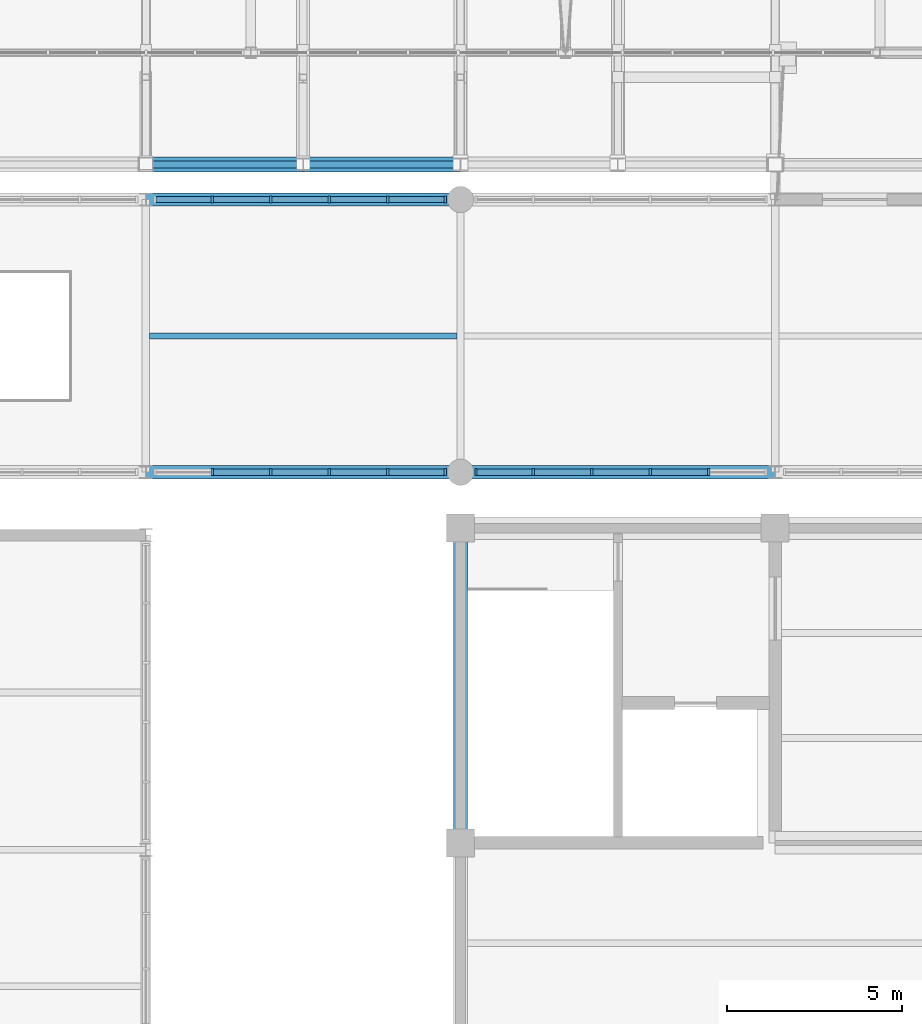
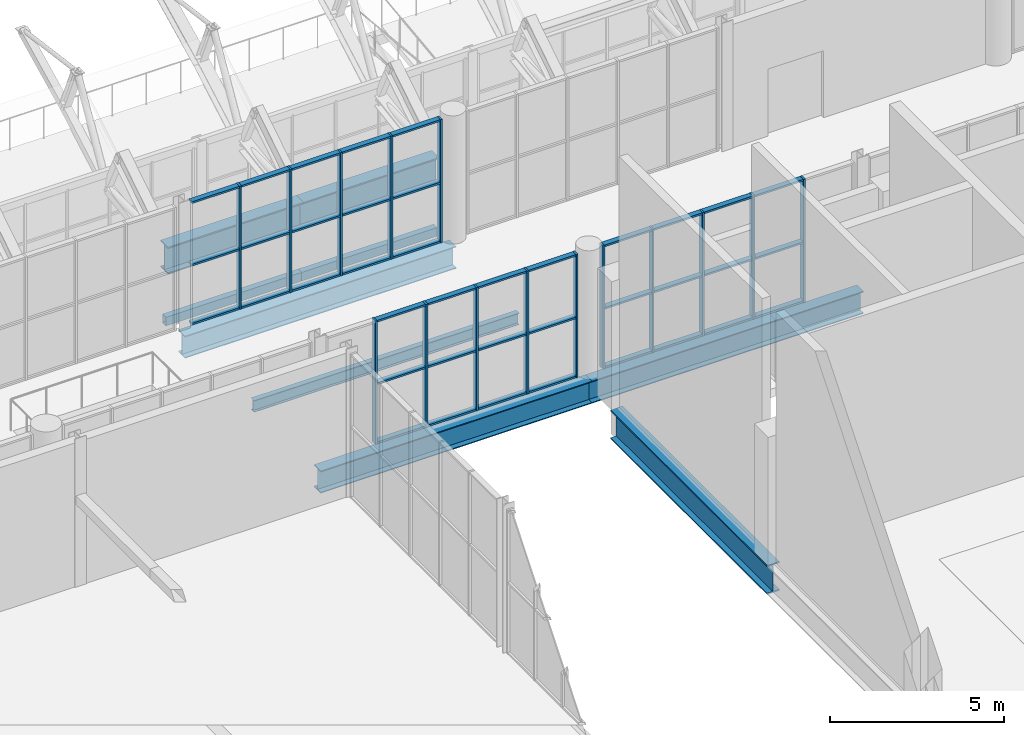
# One storey, part 35 of 134: 54 members, 9 beams, 3 elements without a shape of their own.
"""IFC4 building model written with IfcOpenShell, lengths in metres."""

import ifcopenshell
import ifcopenshell.guid

model = None  # the IFC model being written
_history = None  # IfcOwnerHistory: only IFC2X3 demands one
_inside = {}  # id of a spatial element -> (the spatial element, [elements in it])
_under = {}  # id of a project, library or spatial element -> (it, [spatial elements below it])
_declared = {}  # id of a project -> (the project, [libraries it declares])
_typed = {}  # id of a type object -> (the type object, [elements of that type])
_made_of = {}  # id of a material, layer set ... -> (it, [elements and type objects made of it])


def new_model(schema):
    """Start an empty IFC model of exactly this schema.

    Asked for "IFC4X3", IfcOpenShell would pick the latest addendum, in which some entities
    have other attributes; the version numbers below select the first issue.
    IFC2X3 requires an IfcOwnerHistory on every rooted entity: one is made here for all.
    """
    global model, _history
    if schema == "IFC4X3":
        model = ifcopenshell.file(schema_version=(4, 3, 0, 0))
    else:
        model = ifcopenshell.file(schema=schema)
    _inside.clear()
    _under.clear()
    _declared.clear()
    _typed.clear()
    _made_of.clear()
    _history = None
    if model.schema == "IFC2X3":
        org = make("IfcOrganization", Name="unknown")
        user = make(
            "IfcPersonAndOrganization",
            ThePerson=make("IfcPerson", FamilyName="unknown"),
            TheOrganization=org,
        )
        app = make(
            "IfcApplication",
            ApplicationDeveloper=org,
            Version="unknown",
            ApplicationFullName="unknown",
            ApplicationIdentifier="unknown",
        )
        _history = make(
            "IfcOwnerHistory",
            OwningUser=user,
            OwningApplication=app,
            ChangeAction="ADDED",
            CreationDate=0,
        )
    return model


def make(cls, **values):
    """One entity of the class cls with the attributes given. An attribute that is None is left unset."""
    return model.create_entity(
        cls, **{name: value for name, value in values.items() if value is not None}
    )


def rooted(cls, **values):
    """An entity with a GlobalId (a new one), such as an element, a storey or a relation."""
    return make(cls, GlobalId=ifcopenshell.guid.new(), OwnerHistory=_history, **values)


def si_unit(unit_type, name, prefix=None):
    """IfcSIUnit, for example si_unit("LENGTHUNIT", "METRE", prefix="MILLI")."""
    return make("IfcSIUnit", UnitType=unit_type, Prefix=prefix, Name=name)


def assignment(units):
    """IfcUnitAssignment: the units of a project."""
    return None if units is None else make("IfcUnitAssignment", Units=units)


def point(xyz):
    """IfcCartesianPoint."""
    return None if xyz is None else make("IfcCartesianPoint", Coordinates=xyz)


def direction(xyz):
    """IfcDirection."""
    return None if xyz is None else make("IfcDirection", DirectionRatios=xyz)


def frame(location, z_axis=None, x_axis=None):
    """IfcAxis2Placement3D, a coordinate frame: its origin and axes. An axis left out is left unset."""
    return make(
        "IfcAxis2Placement3D",
        Location=point(location),
        Axis=direction(z_axis),
        RefDirection=direction(x_axis),
    )


def frame_2d(location, x_axis=None):
    """IfcAxis2Placement2D, a coordinate frame in the plane: its origin and x axis."""
    return make(
        "IfcAxis2Placement2D", Location=point(location), RefDirection=direction(x_axis)
    )


def origin():
    """The frame at (0, 0, 0) with its axes left unset."""
    return frame((0.0, 0.0, 0.0))


def origin_2d():
    """The frame at (0, 0) in the plane with its x axis left unset."""
    return frame_2d((0.0, 0.0))


def place(relative_to, where):
    """IfcLocalPlacement: puts the frame where relative to a parent placement (None: the world)."""
    return make(
        "IfcLocalPlacement", PlacementRelTo=relative_to, RelativePlacement=where
    )


def context(
    kind, dimensions, precision=None, world=None, true_north=None, identifier=None
):
    """IfcGeometricRepresentationContext, for example the 3D "Model" context."""
    return make(
        "IfcGeometricRepresentationContext",
        ContextIdentifier=identifier,
        ContextType=kind,
        CoordinateSpaceDimension=dimensions,
        Precision=precision,
        WorldCoordinateSystem=world,
        TrueNorth=true_north,
    )


def subcontext(parent, identifier, kind, view, scale=None):
    """IfcGeometricRepresentationSubContext, for example "Body" below "Model"."""
    return make(
        "IfcGeometricRepresentationSubContext",
        ContextIdentifier=identifier,
        ContextType=kind,
        ParentContext=parent,
        TargetScale=scale,
        TargetView=view,
    )


def project(units=None, contexts=None):
    """IfcProject with its units and contexts."""
    return rooted(
        "IfcProject",
        Name="project",
        RepresentationContexts=contexts,
        UnitsInContext=assignment(units),
    )


def spatial(cls, under=None, at=None, **own):
    """A site, building, storey or space (cls), placed at a placement, below another one or the project."""
    s = rooted(cls, ObjectPlacement=at, **own)
    if under is not None:
        _under.setdefault(under.id(), (under, []))[1].append(s)
    return s


def profile(cls, at=None, kind="AREA", **sizes):
    """A parametric profile (cls). Its sizes go by their IFC names, for example OverallWidth=200.0."""
    return make(cls, ProfileType=kind, Position=at, **sizes)


def rectangle(**sizes):
    """IfcRectangleProfileDef."""
    return profile("IfcRectangleProfileDef", **sizes)


def hollow_rectangle(**sizes):
    """IfcRectangleHollowProfileDef."""
    return profile("IfcRectangleHollowProfileDef", **sizes)


def i_section(**sizes):
    """IfcIShapeProfileDef."""
    return profile("IfcIShapeProfileDef", **sizes)


def extrude(swept, where, along, depth):
    """IfcExtrudedAreaSolid: the profile swept, set in the frame where, extruded along a direction by depth."""
    return make(
        "IfcExtrudedAreaSolid",
        SweptArea=swept,
        Position=where,
        ExtrudedDirection=direction(along),
        Depth=depth,
    )


def shape(context_of_items, identifier, shape_type, items):
    """IfcShapeRepresentation: the items that make up one representation, for example the "Body"."""
    return make(
        "IfcShapeRepresentation",
        ContextOfItems=context_of_items,
        RepresentationIdentifier=identifier,
        RepresentationType=shape_type,
        Items=items,
    )


def material(Name=None, Category=None):
    """IfcMaterial."""
    return make("IfcMaterial", Name=Name, Category=Category)


def layer(
    of_material, thickness, ventilated=None, Name=None, Category=None, Priority=None
):
    """IfcMaterialLayer: one layer of a wall or slab, of a material (None: an air gap)."""
    return make(
        "IfcMaterialLayer",
        Material=of_material,
        LayerThickness=thickness,
        IsVentilated=ventilated,
        Name=Name,
        Category=Category,
        Priority=Priority,
    )


def layer_set(layers, Name=None):
    """IfcMaterialLayerSet."""
    return make("IfcMaterialLayerSet", MaterialLayers=layers, LayerSetName=Name)


def material_profile(
    of_material, cross_section, Name=None, Category=None, Priority=None
):
    """IfcMaterialProfile: a cross section and its material."""
    return make(
        "IfcMaterialProfile",
        Name=Name,
        Material=of_material,
        Profile=cross_section,
        Priority=Priority,
        Category=Category,
    )


def profile_set(profiles, Name=None, composite=None):
    """IfcMaterialProfileSet."""
    return make(
        "IfcMaterialProfileSet",
        Name=Name,
        MaterialProfiles=profiles,
        CompositeProfile=composite,
    )


def made_of(thing, what):
    """Note that an element or type object is made of a material, layer set ...; save() writes the relation."""
    if what is not None:
        _made_of.setdefault(what.id(), (what, []))[1].append(thing)
    return thing


def type_object(cls, material=None, **own):
    """A type object (cls), such as IfcWallType, which elements share."""
    return made_of(rooted(cls, **own), material)


def element(
    cls,
    number,
    at=None,
    inside=None,
    cuts=None,
    type_object=None,
    material=None,
    context=None,
    identifier="Body",
    shape_type=None,
    held_by="IfcProductDefinitionShape",
    body=None,
    shapes=None,
    **own,
):
    """One element of the class cls, such as IfcWall. Its Tag is "e" and its number.

    at: its placement. inside: the storey or other place that contains it. cuts: it is an
    opening in that element (IfcRelVoidsElement). A single representation is given by context,
    identifier, shape_type and body (its items); several are given by shapes. held_by: the class
    of the entity that holds the representations. save() writes the other relations.
    """
    e = rooted(cls, Tag="e%d" % number, ObjectPlacement=at, **own)
    if body is not None:
        shapes = [shape(context, identifier, shape_type, body)]
    if shapes is not None:
        e.Representation = make(held_by, Representations=shapes)
    if inside is not None:
        _inside.setdefault(inside.id(), (inside, []))[1].append(e)
    if cuts is not None:
        rooted(
            "IfcRelVoidsElement", RelatingBuildingElement=cuts, RelatedOpeningElement=e
        )
    if type_object is not None:
        _typed.setdefault(type_object.id(), (type_object, []))[1].append(e)
    return made_of(e, material)


def aggregate(whole, parts):
    """IfcRelAggregates: a whole, such as a stair, and the parts it consists of."""
    return rooted("IfcRelAggregates", RelatingObject=whole, RelatedObjects=parts)


def save(model, path):
    """Write the relations noted so far, then the file.

    IfcRelAggregates (storeys below a building ...), IfcRelContainedInSpatialStructure (elements
    in a storey), IfcRelDefinesByType, IfcRelAssociatesMaterial and IfcRelDeclares: one each for
    every whole, place, type object, material and project.
    """
    for whole, parts in _under.values():
        aggregate(whole, parts)
    for where, things in _inside.values():
        rooted(
            "IfcRelContainedInSpatialStructure",
            RelatedElements=things,
            RelatingStructure=where,
        )
    for kind, things in _typed.values():
        rooted("IfcRelDefinesByType", RelatedObjects=things, RelatingType=kind)
    for what, things in _made_of.values():
        rooted("IfcRelAssociatesMaterial", RelatedObjects=things, RelatingMaterial=what)
    for by, libraries in _declared.values():
        rooted("IfcRelDeclares", RelatingContext=by, RelatedDefinitions=libraries)
    model.write(path)


model = new_model("IFC4")

# Units and contexts
model_context = context("Model", 3, precision=1e-05, world=origin(), true_north=direction((0.0, 1.0)))
body_context = subcontext(model_context, "Body", "Model", "MODEL_VIEW")
ifc_project = project(units=[si_unit("LENGTHUNIT", "METRE"), si_unit("AREAUNIT", "SQUARE_METRE"), si_unit("VOLUMEUNIT", "CUBIC_METRE"), si_unit("PLANEANGLEUNIT", "RADIAN"), si_unit("MASSUNIT", "GRAM", prefix="KILO")], contexts=[model_context])

# Site, building, storey
site_placement = place(None, origin())
site = spatial("IfcSite", under=ifc_project, at=site_placement, CompositionType="ELEMENT")
building_placement = place(site_placement, origin())
building = spatial("IfcBuilding", under=site, at=building_placement, Name="Cazmaro Siding Exhibition Halls", CompositionType="ELEMENT")
storey_placement = place(building_placement, frame((0.0, 0.0, 12.0)))
storey = spatial("IfcBuildingStorey", under=building, at=storey_placement, Name="L02", CompositionType="ELEMENT", Elevation=12.0)

# Curtain wall, members
ifc_material_1 = material(Name="Anodized Bronze Aluminum and Solar-Control Low-E Glazing", Category="aluminium")
ifc_layer = layer(ifc_material_1, 0.199951171875)
ifc_layer_set = layer_set([ifc_layer], Name="Anodized Bronze Aluminum and Solar-Control Low-E Glazing")
curtain_wall_type = type_object("IfcCurtainWallType", Name="CWS-02", PredefinedType="USERDEFINED", material=ifc_layer_set)
curtain_wall_1_placement = place(storey_placement, origin())
curtain_wall_1 = element("IfcCurtainWall", 1, at=curtain_wall_1_placement, inside=storey, type_object=curtain_wall_type, Name="Glazed Curtain Wall CWS-02 CW-158", ObjectType="GLAZED CURTAIN WALL", PredefinedType="USERDEFINED")
ifc_material_2 = material(Name="Anodized Bronze Extruded Aluminum", Category="aluminium")
ifc_material_profile_1 = material_profile(ifc_material_2, rectangle(XDim=0.199951171875, YDim=0.06494140625, at=origin_2d()), Name="CWM-02")
ifc_profile_set_1 = profile_set([ifc_material_profile_1], Name="Anodized Bronze Extruded Aluminum")
member_type_1 = type_object("IfcMemberType", Name="CWM-02", PredefinedType="MULLION", material=ifc_profile_set_1)
member_1_placement = place(storey_placement, frame((64.90234375, 55.199951171875, 0.0), z_axis=(0.0, 0.0, 1.0), x_axis=(0.0, 1.0, 0.0)))
member_1 = element("IfcMember", 2, at=member_1_placement, type_object=member_type_1, Name="CWS-02 mullion 2", PredefinedType="MULLION", context=body_context, shape_type="SweptSolid", body=[
    extrude(rectangle(XDim=0.199951171875, YDim=0.06494140625, at=origin_2d()), origin(), (0.0, 0.0, 1.0), 4.324951171875),
])
member_2_placement = place(storey_placement, frame((66.57470703125, 55.199951171875, 0.0), z_axis=(0.0, 0.0, 1.0), x_axis=(0.0, 1.0, 0.0)))
member_2 = element("IfcMember", 3, at=member_2_placement, type_object=member_type_1, Name="CWS-02 mullion 3", PredefinedType="MULLION", context=body_context, shape_type="SweptSolid", body=[
    extrude(rectangle(XDim=0.199951171875, YDim=0.06494140625, at=origin_2d()), origin(), (0.0, 0.0, 1.0), 4.324951171875),
])
member_3_placement = place(storey_placement, frame((68.247314453125, 55.199951171875, 0.0), z_axis=(0.0, 0.0, 1.0), x_axis=(0.0, 1.0, 0.0)))
member_3 = element("IfcMember", 4, at=member_3_placement, type_object=member_type_1, Name="CWS-02 mullion 4", PredefinedType="MULLION", context=body_context, shape_type="SweptSolid", body=[
    extrude(rectangle(XDim=0.199951171875, YDim=0.06494140625, at=origin_2d()), origin(), (0.0, 0.0, 1.0), 4.324951171875),
])
member_4_placement = place(storey_placement, frame((69.919677734375, 55.199951171875, 0.0), z_axis=(0.0, 0.0, 1.0), x_axis=(0.0, 1.0, 0.0)))
member_4 = element("IfcMember", 5, at=member_4_placement, type_object=member_type_1, Name="CWS-02 mullion 5", PredefinedType="MULLION", context=body_context, shape_type="SweptSolid", body=[
    extrude(rectangle(XDim=0.199951171875, YDim=0.06494140625, at=origin_2d()), origin(), (0.0, 0.0, 1.0), 4.324951171875),
])
member_5_placement = place(storey_placement, frame((71.5595703125, 55.199951171875, 0.0), z_axis=(0.0, 0.0, 1.0), x_axis=(0.0, 1.0, 0.0)))
member_5 = element("IfcMember", 6, at=member_5_placement, type_object=member_type_1, Name="CWS-02 mullion 6", PredefinedType="MULLION", context=body_context, shape_type="SweptSolid", body=[
    extrude(rectangle(XDim=0.199951171875, YDim=0.06494140625, at=origin_2d()), origin(), (0.0, 0.0, 1.0), 4.324951171875),
])

curtain_wall_2_placement = place(storey_placement, origin())
curtain_wall_2 = element("IfcCurtainWall", 7, at=curtain_wall_2_placement, inside=storey, type_object=curtain_wall_type, Name="Glazed Curtain Wall CWS-02 CW-160", ObjectType="GLAZED CURTAIN WALL", PredefinedType="USERDEFINED")
member_6_placement = place(storey_placement, frame((71.5595703125, 63.0, 0.0), z_axis=(0.0, 0.0, 1.0), x_axis=(0.0, -1.0, 0.0)))
member_6 = element("IfcMember", 8, at=member_6_placement, type_object=member_type_1, Name="CWS-02 mullion 1", PredefinedType="MULLION", context=body_context, shape_type="SweptSolid", body=[
    extrude(rectangle(XDim=0.199951171875, YDim=0.06494140625, at=origin_2d()), origin(), (0.0, 0.0, 1.0), 4.324951171875),
])
member_7_placement = place(storey_placement, frame((69.919677734375, 63.0, 0.0), z_axis=(0.0, 0.0, 1.0), x_axis=(0.0, -1.0, 0.0)))
member_7 = element("IfcMember", 9, at=member_7_placement, type_object=member_type_1, Name="CWS-02 mullion 2", PredefinedType="MULLION", context=body_context, shape_type="SweptSolid", body=[
    extrude(rectangle(XDim=0.199951171875, YDim=0.06494140625, at=origin_2d()), origin(), (0.0, 0.0, 1.0), 4.324951171875),
])
member_8_placement = place(storey_placement, frame((68.247314453125, 63.0, 0.0), z_axis=(0.0, 0.0, 1.0), x_axis=(0.0, -1.0, 0.0)))
member_8 = element("IfcMember", 10, at=member_8_placement, type_object=member_type_1, Name="CWS-02 mullion 3", PredefinedType="MULLION", context=body_context, shape_type="SweptSolid", body=[
    extrude(rectangle(XDim=0.199951171875, YDim=0.06494140625, at=origin_2d()), origin(), (0.0, 0.0, 1.0), 4.324951171875),
])
member_9_placement = place(storey_placement, frame((66.57470703125, 63.0, 0.0), z_axis=(0.0, 0.0, 1.0), x_axis=(0.0, -1.0, 0.0)))
member_9 = element("IfcMember", 11, at=member_9_placement, type_object=member_type_1, Name="CWS-02 mullion 4", PredefinedType="MULLION", context=body_context, shape_type="SweptSolid", body=[
    extrude(rectangle(XDim=0.199951171875, YDim=0.06494140625, at=origin_2d()), origin(), (0.0, 0.0, 1.0), 4.324951171875),
])
member_10_placement = place(storey_placement, frame((64.90234375, 63.0, 0.0), z_axis=(0.0, 0.0, 1.0), x_axis=(0.0, -1.0, 0.0)))
member_10 = element("IfcMember", 12, at=member_10_placement, type_object=member_type_1, Name="CWS-02 mullion 5", PredefinedType="MULLION", context=body_context, shape_type="SweptSolid", body=[
    extrude(rectangle(XDim=0.199951171875, YDim=0.06494140625, at=origin_2d()), origin(), (0.0, 0.0, 1.0), 4.324951171875),
])

curtain_wall_3_placement = place(storey_placement, origin())
curtain_wall_3 = element("IfcCurtainWall", 13, at=curtain_wall_3_placement, inside=storey, type_object=curtain_wall_type, Name="Glazed Curtain Wall CWS-02 CW-164", ObjectType="GLAZED CURTAIN WALL", PredefinedType="USERDEFINED")
member_11_placement = place(storey_placement, frame((72.4404296875, 55.199951171875, 0.0), z_axis=(0.0, 0.0, 1.0), x_axis=(0.0, 1.0, 0.0)))
member_11 = element("IfcMember", 14, at=member_11_placement, type_object=member_type_1, Name="CWS-02 mullion 1", PredefinedType="MULLION", context=body_context, shape_type="SweptSolid", body=[
    extrude(rectangle(XDim=0.199951171875, YDim=0.06494140625, at=origin_2d()), origin(), (0.0, 0.0, 1.0), 4.324951171875),
])
member_12_placement = place(storey_placement, frame((74.080322265625, 55.199951171875, 0.0), z_axis=(0.0, 0.0, 1.0), x_axis=(0.0, 1.0, 0.0)))
member_12 = element("IfcMember", 15, at=member_12_placement, type_object=member_type_1, Name="CWS-02 mullion 2", PredefinedType="MULLION", context=body_context, shape_type="SweptSolid", body=[
    extrude(rectangle(XDim=0.199951171875, YDim=0.06494140625, at=origin_2d()), origin(), (0.0, 0.0, 1.0), 4.324951171875),
])
member_13_placement = place(storey_placement, frame((75.752685546875, 55.199951171875, 0.0), z_axis=(0.0, 0.0, 1.0), x_axis=(0.0, 1.0, 0.0)))
member_13 = element("IfcMember", 16, at=member_13_placement, type_object=member_type_1, Name="CWS-02 mullion 3", PredefinedType="MULLION", context=body_context, shape_type="SweptSolid", body=[
    extrude(rectangle(XDim=0.199951171875, YDim=0.06494140625, at=origin_2d()), origin(), (0.0, 0.0, 1.0), 4.324951171875),
])
member_14_placement = place(storey_placement, frame((77.42529296875, 55.199951171875, 0.0), z_axis=(0.0, 0.0, 1.0), x_axis=(0.0, 1.0, 0.0)))
member_14 = element("IfcMember", 17, at=member_14_placement, type_object=member_type_1, Name="CWS-02 mullion 4", PredefinedType="MULLION", context=body_context, shape_type="SweptSolid", body=[
    extrude(rectangle(XDim=0.199951171875, YDim=0.06494140625, at=origin_2d()), origin(), (0.0, 0.0, 1.0), 4.324951171875),
])
member_15_placement = place(storey_placement, frame((79.09765625, 55.199951171875, 0.0), z_axis=(0.0, 0.0, 1.0), x_axis=(0.0, 1.0, 0.0)))
member_15 = element("IfcMember", 18, at=member_15_placement, type_object=member_type_1, Name="CWS-02 mullion 5", PredefinedType="MULLION", context=body_context, shape_type="SweptSolid", body=[
    extrude(rectangle(XDim=0.199951171875, YDim=0.06494140625, at=origin_2d()), origin(), (0.0, 0.0, 1.0), 4.324951171875),
])

# Member
ifc_material_3 = material(Name="Anodized Bronze Extruded Aluminum", Category="aluminium")
ifc_material_profile_2 = material_profile(ifc_material_3, rectangle(XDim=0.179931640625, YDim=0.06494140625, at=origin_2d()), Name="CWT-02")
ifc_profile_set_2 = profile_set([ifc_material_profile_2], Name="Anodized Bronze Extruded Aluminum")
member_type_2 = type_object("IfcMemberType", Name="CWT-02", PredefinedType="MULLION", material=ifc_profile_set_2)
member_16_placement = place(storey_placement, frame((64.934814453125, 55.199951171875, 0.032470703125), z_axis=(1.0, 0.0, 0.0), x_axis=(0.0, 1.0, 0.0)))
member_16 = element("IfcMember", 19, at=member_16_placement, type_object=member_type_2, Name="CWS-02 transom 2.1", ObjectType="TRANSOM", PredefinedType="USERDEFINED", context=body_context, shape_type="SweptSolid", body=[
    extrude(rectangle(XDim=0.179931640625, YDim=0.06494140625, at=origin_2d()), origin(), (0.0, 0.0, 1.0), 1.607421875),
])

member_17_placement = place(storey_placement, frame((64.934814453125, 55.199951171875, 2.10009765625), z_axis=(1.0, 0.0, 0.0), x_axis=(0.0, 1.0, 0.0)))
member_17 = element("IfcMember", 20, at=member_17_placement, type_object=member_type_2, Name="CWS-02 transom 2.2", ObjectType="TRANSOM", PredefinedType="USERDEFINED", context=body_context, shape_type="SweptSolid", body=[
    extrude(rectangle(XDim=0.179931640625, YDim=0.06494140625, at=origin_2d()), origin(), (0.0, 0.0, 1.0), 1.607421875),
])

member_18_placement = place(storey_placement, frame((64.934814453125, 55.199951171875, 4.29248046875), z_axis=(1.0, 0.0, 0.0), x_axis=(0.0, 1.0, 0.0)))
member_18 = element("IfcMember", 21, at=member_18_placement, type_object=member_type_2, Name="CWS-02 transom 2.3", ObjectType="TRANSOM", PredefinedType="USERDEFINED", context=body_context, shape_type="SweptSolid", body=[
    extrude(rectangle(XDim=0.179931640625, YDim=0.06494140625, at=origin_2d()), origin(), (0.0, 0.0, 1.0), 1.607421875),
])

member_19_placement = place(storey_placement, frame((66.607421875, 55.199951171875, 0.032470703125), z_axis=(1.0, 0.0, 0.0), x_axis=(0.0, 1.0, 0.0)))
member_19 = element("IfcMember", 22, at=member_19_placement, type_object=member_type_2, Name="CWS-02 transom 3.1", ObjectType="TRANSOM", PredefinedType="USERDEFINED", context=body_context, shape_type="SweptSolid", body=[
    extrude(rectangle(XDim=0.179931640625, YDim=0.06494140625, at=origin_2d()), origin(), (0.0, 0.0, 1.0), 1.607177734375),
])

member_20_placement = place(storey_placement, frame((66.607421875, 55.199951171875, 2.10009765625), z_axis=(1.0, 0.0, 0.0), x_axis=(0.0, 1.0, 0.0)))
member_20 = element("IfcMember", 23, at=member_20_placement, type_object=member_type_2, Name="CWS-02 transom 3.2", ObjectType="TRANSOM", PredefinedType="USERDEFINED", context=body_context, shape_type="SweptSolid", body=[
    extrude(rectangle(XDim=0.179931640625, YDim=0.06494140625, at=origin_2d()), origin(), (0.0, 0.0, 1.0), 1.607177734375),
])

member_21_placement = place(storey_placement, frame((66.607421875, 55.199951171875, 4.29248046875), z_axis=(1.0, 0.0, 0.0), x_axis=(0.0, 1.0, 0.0)))
member_21 = element("IfcMember", 24, at=member_21_placement, type_object=member_type_2, Name="CWS-02 transom 3.3", ObjectType="TRANSOM", PredefinedType="USERDEFINED", context=body_context, shape_type="SweptSolid", body=[
    extrude(rectangle(XDim=0.179931640625, YDim=0.06494140625, at=origin_2d()), origin(), (0.0, 0.0, 1.0), 1.607177734375),
])

member_22_placement = place(storey_placement, frame((68.27978515625, 55.199951171875, 0.032470703125), z_axis=(1.0, 0.0, 0.0), x_axis=(0.0, 1.0, 0.0)))
member_22 = element("IfcMember", 25, at=member_22_placement, type_object=member_type_2, Name="CWS-02 transom 4.1", ObjectType="TRANSOM", PredefinedType="USERDEFINED", context=body_context, shape_type="SweptSolid", body=[
    extrude(rectangle(XDim=0.179931640625, YDim=0.06494140625, at=origin_2d()), origin(), (0.0, 0.0, 1.0), 1.607421875),
])

member_23_placement = place(storey_placement, frame((68.27978515625, 55.199951171875, 2.10009765625), z_axis=(1.0, 0.0, 0.0), x_axis=(0.0, 1.0, 0.0)))
member_23 = element("IfcMember", 26, at=member_23_placement, type_object=member_type_2, Name="CWS-02 transom 4.2", ObjectType="TRANSOM", PredefinedType="USERDEFINED", context=body_context, shape_type="SweptSolid", body=[
    extrude(rectangle(XDim=0.179931640625, YDim=0.06494140625, at=origin_2d()), origin(), (0.0, 0.0, 1.0), 1.607421875),
])

member_24_placement = place(storey_placement, frame((68.27978515625, 55.199951171875, 4.29248046875), z_axis=(1.0, 0.0, 0.0), x_axis=(0.0, 1.0, 0.0)))
member_24 = element("IfcMember", 27, at=member_24_placement, type_object=member_type_2, Name="CWS-02 transom 4.3", ObjectType="TRANSOM", PredefinedType="USERDEFINED", context=body_context, shape_type="SweptSolid", body=[
    extrude(rectangle(XDim=0.179931640625, YDim=0.06494140625, at=origin_2d()), origin(), (0.0, 0.0, 1.0), 1.607421875),
])

member_25_placement = place(storey_placement, frame((69.9521484375, 55.199951171875, 0.032470703125), z_axis=(1.0, 0.0, 0.0), x_axis=(0.0, 1.0, 0.0)))
member_25 = element("IfcMember", 28, at=member_25_placement, type_object=member_type_2, Name="CWS-02 transom 5.1", ObjectType="TRANSOM", PredefinedType="USERDEFINED", context=body_context, shape_type="SweptSolid", body=[
    extrude(rectangle(XDim=0.179931640625, YDim=0.06494140625, at=origin_2d()), origin(), (0.0, 0.0, 1.0), 1.574951171875),
])

member_26_placement = place(storey_placement, frame((69.9521484375, 55.199951171875, 2.10009765625), z_axis=(1.0, 0.0, 0.0), x_axis=(0.0, 1.0, 0.0)))
member_26 = element("IfcMember", 29, at=member_26_placement, type_object=member_type_2, Name="CWS-02 transom 5.2", ObjectType="TRANSOM", PredefinedType="USERDEFINED", context=body_context, shape_type="SweptSolid", body=[
    extrude(rectangle(XDim=0.179931640625, YDim=0.06494140625, at=origin_2d()), origin(), (0.0, 0.0, 1.0), 1.574951171875),
])

member_27_placement = place(storey_placement, frame((69.9521484375, 55.199951171875, 4.29248046875), z_axis=(1.0, 0.0, 0.0), x_axis=(0.0, 1.0, 0.0)))
member_27 = element("IfcMember", 30, at=member_27_placement, type_object=member_type_2, Name="CWS-02 transom 5.3", ObjectType="TRANSOM", PredefinedType="USERDEFINED", context=body_context, shape_type="SweptSolid", body=[
    extrude(rectangle(XDim=0.179931640625, YDim=0.06494140625, at=origin_2d()), origin(), (0.0, 0.0, 1.0), 1.574951171875),
])

aggregate(curtain_wall_1, [member_1, member_2, member_3, member_4, member_5, member_16, member_17, member_18, member_19, member_20, member_21, member_22, member_23, member_24, member_25, member_26, member_27])

member_28_placement = place(storey_placement, frame((71.527099609375, 63.0, 0.032470703125), z_axis=(-1.0, 0.0, 0.0), x_axis=(0.0, -1.0, 0.0)))
member_28 = element("IfcMember", 31, at=member_28_placement, type_object=member_type_2, Name="CWS-02 transom 1.1", ObjectType="TRANSOM", PredefinedType="USERDEFINED", context=body_context, shape_type="SweptSolid", body=[
    extrude(rectangle(XDim=0.179931640625, YDim=0.06494140625, at=origin_2d()), origin(), (0.0, 0.0, 1.0), 1.574951171875),
])

member_29_placement = place(storey_placement, frame((71.527099609375, 63.0, 2.10009765625), z_axis=(-1.0, 0.0, 0.0), x_axis=(0.0, -1.0, 0.0)))
member_29 = element("IfcMember", 32, at=member_29_placement, type_object=member_type_2, Name="CWS-02 transom 1.2", ObjectType="TRANSOM", PredefinedType="USERDEFINED", context=body_context, shape_type="SweptSolid", body=[
    extrude(rectangle(XDim=0.179931640625, YDim=0.06494140625, at=origin_2d()), origin(), (0.0, 0.0, 1.0), 1.574951171875),
])

member_30_placement = place(storey_placement, frame((71.527099609375, 63.0, 4.29248046875), z_axis=(-1.0, 0.0, 0.0), x_axis=(0.0, -1.0, 0.0)))
member_30 = element("IfcMember", 33, at=member_30_placement, type_object=member_type_2, Name="CWS-02 transom 1.3", ObjectType="TRANSOM", PredefinedType="USERDEFINED", context=body_context, shape_type="SweptSolid", body=[
    extrude(rectangle(XDim=0.179931640625, YDim=0.06494140625, at=origin_2d()), origin(), (0.0, 0.0, 1.0), 1.574951171875),
])

member_31_placement = place(storey_placement, frame((69.88720703125, 63.0, 0.032470703125), z_axis=(-1.0, 0.0, 0.0), x_axis=(0.0, -1.0, 0.0)))
member_31 = element("IfcMember", 34, at=member_31_placement, type_object=member_type_2, Name="CWS-02 transom 2.1", ObjectType="TRANSOM", PredefinedType="USERDEFINED", context=body_context, shape_type="SweptSolid", body=[
    extrude(rectangle(XDim=0.179931640625, YDim=0.06494140625, at=origin_2d()), origin(), (0.0, 0.0, 1.0), 1.607421875),
])

member_32_placement = place(storey_placement, frame((69.88720703125, 63.0, 2.10009765625), z_axis=(-1.0, 0.0, 0.0), x_axis=(0.0, -1.0, 0.0)))
member_32 = element("IfcMember", 35, at=member_32_placement, type_object=member_type_2, Name="CWS-02 transom 2.2", ObjectType="TRANSOM", PredefinedType="USERDEFINED", context=body_context, shape_type="SweptSolid", body=[
    extrude(rectangle(XDim=0.179931640625, YDim=0.06494140625, at=origin_2d()), origin(), (0.0, 0.0, 1.0), 1.607421875),
])

member_33_placement = place(storey_placement, frame((69.88720703125, 63.0, 4.29248046875), z_axis=(-1.0, 0.0, 0.0), x_axis=(0.0, -1.0, 0.0)))
member_33 = element("IfcMember", 36, at=member_33_placement, type_object=member_type_2, Name="CWS-02 transom 2.3", ObjectType="TRANSOM", PredefinedType="USERDEFINED", context=body_context, shape_type="SweptSolid", body=[
    extrude(rectangle(XDim=0.179931640625, YDim=0.06494140625, at=origin_2d()), origin(), (0.0, 0.0, 1.0), 1.607421875),
])

member_34_placement = place(storey_placement, frame((68.214599609375, 63.0, 0.032470703125), z_axis=(-1.0, 0.0, 0.0), x_axis=(0.0, -1.0, 0.0)))
member_34 = element("IfcMember", 37, at=member_34_placement, type_object=member_type_2, Name="CWS-02 transom 3.1", ObjectType="TRANSOM", PredefinedType="USERDEFINED", context=body_context, shape_type="SweptSolid", body=[
    extrude(rectangle(XDim=0.179931640625, YDim=0.06494140625, at=origin_2d()), origin(), (0.0, 0.0, 1.0), 1.607177734375),
])

member_35_placement = place(storey_placement, frame((68.214599609375, 63.0, 2.10009765625), z_axis=(-1.0, 0.0, 0.0), x_axis=(0.0, -1.0, 0.0)))
member_35 = element("IfcMember", 38, at=member_35_placement, type_object=member_type_2, Name="CWS-02 transom 3.2", ObjectType="TRANSOM", PredefinedType="USERDEFINED", context=body_context, shape_type="SweptSolid", body=[
    extrude(rectangle(XDim=0.179931640625, YDim=0.06494140625, at=origin_2d()), origin(), (0.0, 0.0, 1.0), 1.607177734375),
])

member_36_placement = place(storey_placement, frame((68.214599609375, 63.0, 4.29248046875), z_axis=(-1.0, 0.0, 0.0), x_axis=(0.0, -1.0, 0.0)))
member_36 = element("IfcMember", 39, at=member_36_placement, type_object=member_type_2, Name="CWS-02 transom 3.3", ObjectType="TRANSOM", PredefinedType="USERDEFINED", context=body_context, shape_type="SweptSolid", body=[
    extrude(rectangle(XDim=0.179931640625, YDim=0.06494140625, at=origin_2d()), origin(), (0.0, 0.0, 1.0), 1.607177734375),
])

member_37_placement = place(storey_placement, frame((66.542236328125, 63.0, 0.032470703125), z_axis=(-1.0, 0.0, 0.0), x_axis=(0.0, -1.0, 0.0)))
member_37 = element("IfcMember", 40, at=member_37_placement, type_object=member_type_2, Name="CWS-02 transom 4.1", ObjectType="TRANSOM", PredefinedType="USERDEFINED", context=body_context, shape_type="SweptSolid", body=[
    extrude(rectangle(XDim=0.179931640625, YDim=0.06494140625, at=origin_2d()), origin(), (0.0, 0.0, 1.0), 1.607421875),
])

member_38_placement = place(storey_placement, frame((66.542236328125, 63.0, 2.10009765625), z_axis=(-1.0, 0.0, 0.0), x_axis=(0.0, -1.0, 0.0)))
member_38 = element("IfcMember", 41, at=member_38_placement, type_object=member_type_2, Name="CWS-02 transom 4.2", ObjectType="TRANSOM", PredefinedType="USERDEFINED", context=body_context, shape_type="SweptSolid", body=[
    extrude(rectangle(XDim=0.179931640625, YDim=0.06494140625, at=origin_2d()), origin(), (0.0, 0.0, 1.0), 1.607421875),
])

member_39_placement = place(storey_placement, frame((66.542236328125, 63.0, 4.29248046875), z_axis=(-1.0, 0.0, 0.0), x_axis=(0.0, -1.0, 0.0)))
member_39 = element("IfcMember", 42, at=member_39_placement, type_object=member_type_2, Name="CWS-02 transom 4.3", ObjectType="TRANSOM", PredefinedType="USERDEFINED", context=body_context, shape_type="SweptSolid", body=[
    extrude(rectangle(XDim=0.179931640625, YDim=0.06494140625, at=origin_2d()), origin(), (0.0, 0.0, 1.0), 1.607421875),
])

member_40_placement = place(storey_placement, frame((64.869873046875, 63.0, 0.032470703125), z_axis=(-1.0, 0.0, 0.0), x_axis=(0.0, -1.0, 0.0)))
member_40 = element("IfcMember", 43, at=member_40_placement, type_object=member_type_2, Name="CWS-02 transom 5.1", ObjectType="TRANSOM", PredefinedType="USERDEFINED", context=body_context, shape_type="SweptSolid", body=[
    extrude(rectangle(XDim=0.179931640625, YDim=0.06494140625, at=origin_2d()), origin(), (0.0, 0.0, 1.0), 1.574951171875),
])

member_41_placement = place(storey_placement, frame((64.869873046875, 63.0, 2.10009765625), z_axis=(-1.0, 0.0, 0.0), x_axis=(0.0, -1.0, 0.0)))
member_41 = element("IfcMember", 44, at=member_41_placement, type_object=member_type_2, Name="CWS-02 transom 5.2", ObjectType="TRANSOM", PredefinedType="USERDEFINED", context=body_context, shape_type="SweptSolid", body=[
    extrude(rectangle(XDim=0.179931640625, YDim=0.06494140625, at=origin_2d()), origin(), (0.0, 0.0, 1.0), 1.574951171875),
])

member_42_placement = place(storey_placement, frame((64.869873046875, 63.0, 4.29248046875), z_axis=(-1.0, 0.0, 0.0), x_axis=(0.0, -1.0, 0.0)))
member_42 = element("IfcMember", 45, at=member_42_placement, type_object=member_type_2, Name="CWS-02 transom 5.3", ObjectType="TRANSOM", PredefinedType="USERDEFINED", context=body_context, shape_type="SweptSolid", body=[
    extrude(rectangle(XDim=0.179931640625, YDim=0.06494140625, at=origin_2d()), origin(), (0.0, 0.0, 1.0), 1.574951171875),
])

aggregate(curtain_wall_2, [member_6, member_7, member_8, member_9, member_10, member_28, member_29, member_30, member_31, member_32, member_33, member_34, member_35, member_36, member_37, member_38, member_39, member_40, member_41, member_42])

member_43_placement = place(storey_placement, frame((72.472900390625, 55.199951171875, 0.032470703125), z_axis=(1.0, 0.0, 0.0), x_axis=(0.0, 1.0, 0.0)))
member_43 = element("IfcMember", 46, at=member_43_placement, type_object=member_type_2, Name="CWS-02 transom 1.1", ObjectType="TRANSOM", PredefinedType="USERDEFINED", context=body_context, shape_type="SweptSolid", body=[
    extrude(rectangle(XDim=0.179931640625, YDim=0.06494140625, at=origin_2d()), origin(), (0.0, 0.0, 1.0), 1.574951171875),
])

member_44_placement = place(storey_placement, frame((72.472900390625, 55.199951171875, 2.10009765625), z_axis=(1.0, 0.0, 0.0), x_axis=(0.0, 1.0, 0.0)))
member_44 = element("IfcMember", 47, at=member_44_placement, type_object=member_type_2, Name="CWS-02 transom 1.2", ObjectType="TRANSOM", PredefinedType="USERDEFINED", context=body_context, shape_type="SweptSolid", body=[
    extrude(rectangle(XDim=0.179931640625, YDim=0.06494140625, at=origin_2d()), origin(), (0.0, 0.0, 1.0), 1.574951171875),
])

member_45_placement = place(storey_placement, frame((72.472900390625, 55.199951171875, 4.29248046875), z_axis=(1.0, 0.0, 0.0), x_axis=(0.0, 1.0, 0.0)))
member_45 = element("IfcMember", 48, at=member_45_placement, type_object=member_type_2, Name="CWS-02 transom 1.3", ObjectType="TRANSOM", PredefinedType="USERDEFINED", context=body_context, shape_type="SweptSolid", body=[
    extrude(rectangle(XDim=0.179931640625, YDim=0.06494140625, at=origin_2d()), origin(), (0.0, 0.0, 1.0), 1.574951171875),
])

member_46_placement = place(storey_placement, frame((74.11279296875, 55.199951171875, 0.032470703125), z_axis=(1.0, 0.0, 0.0), x_axis=(0.0, 1.0, 0.0)))
member_46 = element("IfcMember", 49, at=member_46_placement, type_object=member_type_2, Name="CWS-02 transom 2.1", ObjectType="TRANSOM", PredefinedType="USERDEFINED", context=body_context, shape_type="SweptSolid", body=[
    extrude(rectangle(XDim=0.179931640625, YDim=0.06494140625, at=origin_2d()), origin(), (0.0, 0.0, 1.0), 1.607421875),
])

member_47_placement = place(storey_placement, frame((74.11279296875, 55.199951171875, 2.10009765625), z_axis=(1.0, 0.0, 0.0), x_axis=(0.0, 1.0, 0.0)))
member_47 = element("IfcMember", 50, at=member_47_placement, type_object=member_type_2, Name="CWS-02 transom 2.2", ObjectType="TRANSOM", PredefinedType="USERDEFINED", context=body_context, shape_type="SweptSolid", body=[
    extrude(rectangle(XDim=0.179931640625, YDim=0.06494140625, at=origin_2d()), origin(), (0.0, 0.0, 1.0), 1.607421875),
])

member_48_placement = place(storey_placement, frame((74.11279296875, 55.199951171875, 4.29248046875), z_axis=(1.0, 0.0, 0.0), x_axis=(0.0, 1.0, 0.0)))
member_48 = element("IfcMember", 51, at=member_48_placement, type_object=member_type_2, Name="CWS-02 transom 2.3", ObjectType="TRANSOM", PredefinedType="USERDEFINED", context=body_context, shape_type="SweptSolid", body=[
    extrude(rectangle(XDim=0.179931640625, YDim=0.06494140625, at=origin_2d()), origin(), (0.0, 0.0, 1.0), 1.607421875),
])

member_49_placement = place(storey_placement, frame((75.785400390625, 55.199951171875, 0.032470703125), z_axis=(1.0, 0.0, 0.0), x_axis=(0.0, 1.0, 0.0)))
member_49 = element("IfcMember", 52, at=member_49_placement, type_object=member_type_2, Name="CWS-02 transom 3.1", ObjectType="TRANSOM", PredefinedType="USERDEFINED", context=body_context, shape_type="SweptSolid", body=[
    extrude(rectangle(XDim=0.179931640625, YDim=0.06494140625, at=origin_2d()), origin(), (0.0, 0.0, 1.0), 1.607177734375),
])

member_50_placement = place(storey_placement, frame((75.785400390625, 55.199951171875, 2.10009765625), z_axis=(1.0, 0.0, 0.0), x_axis=(0.0, 1.0, 0.0)))
member_50 = element("IfcMember", 53, at=member_50_placement, type_object=member_type_2, Name="CWS-02 transom 3.2", ObjectType="TRANSOM", PredefinedType="USERDEFINED", context=body_context, shape_type="SweptSolid", body=[
    extrude(rectangle(XDim=0.179931640625, YDim=0.06494140625, at=origin_2d()), origin(), (0.0, 0.0, 1.0), 1.607177734375),
])

member_51_placement = place(storey_placement, frame((75.785400390625, 55.199951171875, 4.29248046875), z_axis=(1.0, 0.0, 0.0), x_axis=(0.0, 1.0, 0.0)))
member_51 = element("IfcMember", 54, at=member_51_placement, type_object=member_type_2, Name="CWS-02 transom 3.3", ObjectType="TRANSOM", PredefinedType="USERDEFINED", context=body_context, shape_type="SweptSolid", body=[
    extrude(rectangle(XDim=0.179931640625, YDim=0.06494140625, at=origin_2d()), origin(), (0.0, 0.0, 1.0), 1.607177734375),
])

member_52_placement = place(storey_placement, frame((77.457763671875, 55.199951171875, 0.032470703125), z_axis=(1.0, 0.0, 0.0), x_axis=(0.0, 1.0, 0.0)))
member_52 = element("IfcMember", 55, at=member_52_placement, type_object=member_type_2, Name="CWS-02 transom 4.1", ObjectType="TRANSOM", PredefinedType="USERDEFINED", context=body_context, shape_type="SweptSolid", body=[
    extrude(rectangle(XDim=0.179931640625, YDim=0.06494140625, at=origin_2d()), origin(), (0.0, 0.0, 1.0), 1.607421875),
])

member_53_placement = place(storey_placement, frame((77.457763671875, 55.199951171875, 2.10009765625), z_axis=(1.0, 0.0, 0.0), x_axis=(0.0, 1.0, 0.0)))
member_53 = element("IfcMember", 56, at=member_53_placement, type_object=member_type_2, Name="CWS-02 transom 4.2", ObjectType="TRANSOM", PredefinedType="USERDEFINED", context=body_context, shape_type="SweptSolid", body=[
    extrude(rectangle(XDim=0.179931640625, YDim=0.06494140625, at=origin_2d()), origin(), (0.0, 0.0, 1.0), 1.607421875),
])

member_54_placement = place(storey_placement, frame((77.457763671875, 55.199951171875, 4.29248046875), z_axis=(1.0, 0.0, 0.0), x_axis=(0.0, 1.0, 0.0)))
member_54 = element("IfcMember", 57, at=member_54_placement, type_object=member_type_2, Name="CWS-02 transom 4.3", ObjectType="TRANSOM", PredefinedType="USERDEFINED", context=body_context, shape_type="SweptSolid", body=[
    extrude(rectangle(XDim=0.179931640625, YDim=0.06494140625, at=origin_2d()), origin(), (0.0, 0.0, 1.0), 1.607421875),
])

aggregate(curtain_wall_3, [member_11, member_12, member_13, member_14, member_15, member_43, member_44, member_45, member_46, member_47, member_48, member_49, member_50, member_51, member_52, member_53, member_54])

# Beams
ifc_material_4 = material(Name="Steel ASTM A992 Grade 50", Category="steel")
ifc_material_profile_3 = material_profile(ifc_material_4, i_section(OverallWidth=0.424072265625, OverallDepth=0.947021484375, WebThickness=0.02392578125, FlangeThickness=0.04296875, at=origin_2d()), Name="W36X302")
ifc_profile_set_3 = profile_set([ifc_material_profile_3], Name="Steel ASTM A992 Grade 50")
beam_type_1 = type_object("IfcBeamType", Name="G-01", PredefinedType="USERDEFINED", material=ifc_profile_set_3)
for number, where, z_axis, x_axis, name in (
    (58, (63.0, 64.0, 1.826904296875), (1.0, 0.0, 0.0), (0.0, 1.0, 0.0), "Beam G-01 BM-0087"),
    (59, (67.5, 64.0, 1.826904296875), (1.0, 0.0, 0.0), (0.0, 1.0, 0.0), "Beam G-01 BM-0093"),
):
    element("IfcBeam", number, at=place(storey_placement, frame(where, z_axis=z_axis, x_axis=x_axis)), inside=storey, type_object=beam_type_1, Name=name, ObjectType="GIRDER", PredefinedType="USERDEFINED", context=body_context, shape_type="SweptSolid", body=[
        extrude(i_section(OverallWidth=0.424072265625, OverallDepth=0.947021484375, WebThickness=0.02392578125, FlangeThickness=0.04296875, at=origin_2d()), origin(), (0.0, 0.0, 1.0), 4.5),
    ])
ifc_material_5 = material(Name="Steel ASTM A992 Grade 50", Category="steel")
ifc_material_profile_4 = material_profile(ifc_material_5, i_section(OverallWidth=0.381103515625, OverallDepth=0.779052734375, WebThickness=0.01806640625, FlangeThickness=0.030029296875, at=origin_2d()), Name="W30X191")
ifc_profile_set_4 = profile_set([ifc_material_profile_4], Name="Steel ASTM A992 Grade 50")
beam_type_2 = type_object("IfcBeamType", Name="G-04", PredefinedType="USERDEFINED", material=ifc_profile_set_4)
for number, where, z_axis, x_axis, name in (
    (60, (63.0, 55.199951171875, -0.610107421875), (1.0, 0.0, 0.0), (0.0, 1.0, 0.0), "Beam G-04 BM-1595"),
    (61, (63.0, 63.0, -0.610107421875), (1.0, 0.0, 0.0), (0.0, 1.0, 0.0), "Beam G-04 BM-1596"),
    (62, (72.0, 55.199951171875, -0.610107421875), (1.0, 0.0, 0.0), (0.0, 1.0, 0.0), "Beam G-04 BM-1604"),
):
    element("IfcBeam", number, at=place(storey_placement, frame(where, z_axis=z_axis, x_axis=x_axis)), inside=storey, type_object=beam_type_2, Name=name, ObjectType="GIRDER", PredefinedType="USERDEFINED", context=body_context, shape_type="SweptSolid", body=[
        extrude(i_section(OverallWidth=0.381103515625, OverallDepth=0.779052734375, WebThickness=0.01806640625, FlangeThickness=0.030029296875, at=origin_2d()), origin(), (0.0, 0.0, 1.0), 9.0),
    ])
ifc_material_6 = material(Name="Steel ASTM A992 Grade 50", Category="steel")
ifc_material_profile_5 = material_profile(ifc_material_6, i_section(OverallWidth=0.404052734375, OverallDepth=1.02099609375, WebThickness=0.02490234375, FlangeThickness=0.0458984375, at=origin_2d()), Name="W40X324")
ifc_profile_set_5 = profile_set([ifc_material_profile_5], Name="Steel ASTM A992 Grade 50")
beam_type_3 = type_object("IfcBeamType", Name="G-06", PredefinedType="USERDEFINED", material=ifc_profile_set_5)
beam_1_placement = place(storey_placement, frame((72.0, 44.60009765625, -0.81103515625), z_axis=(0.0, 1.0, 0.0), x_axis=(-1.0, 0.0, 0.0)))
element("IfcBeam", 63, at=beam_1_placement, inside=storey, type_object=beam_type_3, Name="Beam G-06 BM-1440", ObjectType="GIRDER", PredefinedType="USERDEFINED", context=body_context, shape_type="SweptSolid", body=[
    extrude(i_section(OverallWidth=0.404052734375, OverallDepth=1.02099609375, WebThickness=0.02490234375, FlangeThickness=0.0458984375, at=origin_2d()), origin(), (0.0, 0.0, 1.0), 9.0),
])
ifc_material_7 = material(Name="Steel ASTM A992 Grade 50", Category="steel")
ifc_material_profile_6 = material_profile(ifc_material_7, i_section(OverallWidth=0.177978515625, OverallDepth=0.406005859375, WebThickness=0.008056640625, FlangeThickness=0.012939453125, at=origin_2d()), Name="W16X40")
ifc_profile_set_6 = profile_set([ifc_material_profile_6], Name="Steel ASTM A992 Grade 50")
beam_type_4 = type_object("IfcBeamType", Name="J-02", PredefinedType="JOIST", material=ifc_profile_set_6)
beam_2_placement = place(storey_placement, frame((63.10498046875, 59.10009765625, -0.423095703125), z_axis=(1.0, 0.0, 0.0), x_axis=(0.0, 1.0, 0.0)))
element("IfcBeam", 64, at=beam_2_placement, inside=storey, type_object=beam_type_4, Name="Beam J-02 BM-1597", PredefinedType="JOIST", context=body_context, shape_type="SweptSolid", body=[
    extrude(i_section(OverallWidth=0.177978515625, OverallDepth=0.406005859375, WebThickness=0.008056640625, FlangeThickness=0.012939453125, at=origin_2d()), origin(), (0.0, 0.0, 1.0), 8.7900390625),
])
ifc_material_8 = material(Name="Steel ASTM A500 Grade C", Category="steel")
ifc_material_profile_7 = material_profile(ifc_material_8, hollow_rectangle(XDim=0.202880859375, YDim=0.304931640625, WallThickness=0.011962890625, at=origin_2d()), Name="HSS12X8X1/2")
ifc_profile_set_7 = profile_set([ifc_material_profile_7], Name="Steel ASTM A500 Grade C")
beam_type_5 = type_object("IfcBeamType", Name="SP-01", PredefinedType="SPANDREL", material=ifc_profile_set_7)
for number, where, z_axis, x_axis, name in (
    (65, (63.0, 64.0, -0.373046875), (1.0, 0.0, 0.0), (0.0, 1.0, 0.0), "Beam SP-01 BM-0086"),
    (66, (67.5, 64.0, -0.373046875), (1.0, 0.0, 0.0), (0.0, 1.0, 0.0), "Beam SP-01 BM-0092"),
):
    element("IfcBeam", number, at=place(storey_placement, frame(where, z_axis=z_axis, x_axis=x_axis)), inside=storey, type_object=beam_type_5, Name=name, PredefinedType="SPANDREL", context=body_context, shape_type="SweptSolid", body=[
        extrude(hollow_rectangle(XDim=0.202880859375, YDim=0.304931640625, WallThickness=0.011962890625, at=origin_2d()), origin(), (0.0, 0.0, 1.0), 4.5),
    ])

save(model, "model.ifc")
